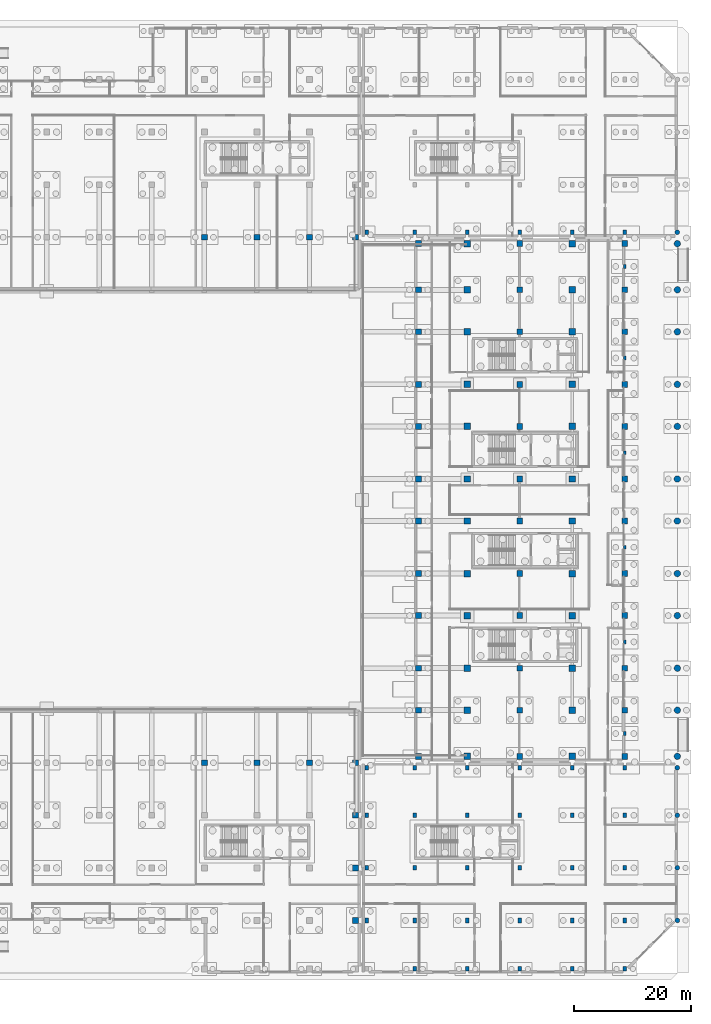
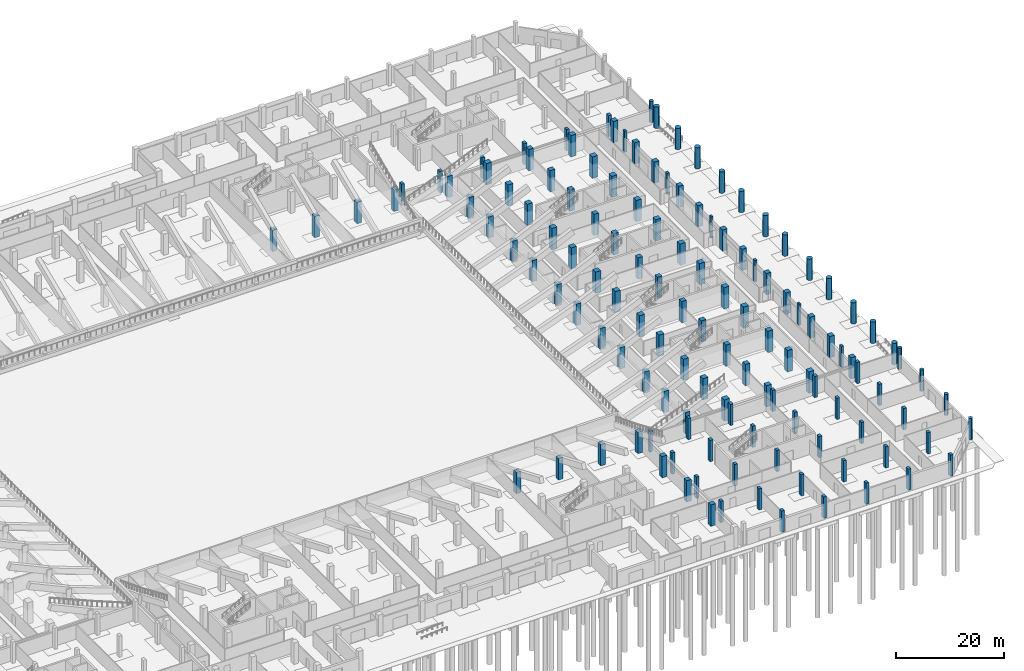
# One storey, part 9 of 53: 129 columns.
"""IFC4 building model written with IfcOpenShell, lengths in metres."""

from ifc_helpers import new_model, si_unit, direction, frame, origin, origin_2d, place, context, subcontext, project, spatial, rectangle, circle, extrude, material, material_profile, profile_set, type_object, element, save


model = new_model("IFC4")

# Units and contexts
model_context = context("Model", 3, precision=1e-05, world=origin(), true_north=direction((0.0, 1.0)))
body_context = subcontext(model_context, "Body", "Model", "MODEL_VIEW")
ifc_project = project(units=[si_unit("LENGTHUNIT", "METRE"), si_unit("AREAUNIT", "SQUARE_METRE"), si_unit("VOLUMEUNIT", "CUBIC_METRE"), si_unit("PLANEANGLEUNIT", "RADIAN"), si_unit("MASSUNIT", "GRAM", prefix="KILO"), si_unit("THERMODYNAMICTEMPERATUREUNIT", "KELVIN"), si_unit("POWERUNIT", "WATT")], contexts=[model_context])

# Site, building, storey
site_placement = place(None, origin())
site = spatial("IfcSite", under=ifc_project, at=site_placement, CompositionType="ELEMENT")
building_placement = place(site_placement, origin())
building = spatial("IfcBuilding", under=site, at=building_placement, Name="Sindhuravela Promenade Stadium", CompositionType="ELEMENT")
storey_placement = place(building_placement, origin())
storey = spatial("IfcBuildingStorey", under=building, at=storey_placement, Name="L00", CompositionType="ELEMENT", Elevation=0.0)

# Columns
ifc_material_1 = material(Name="Concrete M50", Category="concrete")
ifc_material_profile_1 = material_profile(ifc_material_1, rectangle(XDim=1.0, YDim=1.0, at=origin_2d()), Name="RC 1000x1000")
ifc_profile_set_1 = profile_set([ifc_material_profile_1], Name="Concrete M50")
column_type_1 = type_object("IfcColumnType", Name="RC-CL-1000x1000", PredefinedType="COLUMN", material=ifc_profile_set_1)
for number, where, z_axis, x_axis, name in (
    (1, (171.699951171875, 37.10009765625, 0.0), (0.0, 0.0, 1.0), (1.0, 0.0, 0.0), "Column C06 EAST L00"),
    (2, (171.699951171875, 45.0, 0.0), (0.0, 0.0, 1.0), (1.0, 0.0, 0.0), "Column C06 EAST L00"),
    (3, (171.699951171875, 52.199951171875, 0.0), (0.0, 0.0, 1.0), (1.0, 0.0, 0.0), "Column C06 EAST L00"),
    (4, (171.699951171875, 61.199951171875, 0.0), (0.0, 0.0, 1.0), (1.0, 0.0, 0.0), "Column C06 EAST L00"),
    (5, (171.699951171875, 68.39990234375, 0.0), (0.0, 0.0, 1.0), (1.0, 0.0, 0.0), "Column C06 EAST L00"),
    (6, (171.699951171875, 77.39990234375, 0.0), (0.0, 0.0, 1.0), (1.0, 0.0, 0.0), "Column C06 EAST L00"),
    (7, (171.699951171875, 84.60009765625, 0.0), (0.0, 0.0, 1.0), (1.0, 0.0, 0.0), "Column C06 EAST L00"),
    (8, (171.699951171875, 93.60009765625, 0.0), (0.0, 0.0, 1.0), (1.0, 0.0, 0.0), "Column C06 EAST L00"),
    (9, (171.699951171875, 100.800048828125, 0.0), (0.0, 0.0, 1.0), (1.0, 0.0, 0.0), "Column C06 EAST L00"),
    (10, (171.699951171875, 109.800048828125, 0.0), (0.0, 0.0, 1.0), (1.0, 0.0, 0.0), "Column C06 EAST L00"),
    (11, (171.699951171875, 117.0, 0.0), (0.0, 0.0, 1.0), (1.0, 0.0, 0.0), "Column C06 EAST L00"),
    (12, (171.699951171875, 124.89990234375, 0.0), (0.0, 0.0, 1.0), (1.0, 0.0, 0.0), "Column C06 EAST L00"),
    (13, (189.0, 37.10009765625, 0.0), (0.0, 0.0, 1.0), (1.0, 0.0, 0.0), "Column C06 EAST L00"),
    (14, (189.0, 45.0, 0.0), (0.0, 0.0, 1.0), (1.0, 0.0, 0.0), "Column C06 EAST L00"),
    (15, (189.0, 52.199951171875, 0.0), (0.0, 0.0, 1.0), (1.0, 0.0, 0.0), "Column C06 EAST L00"),
    (16, (189.0, 61.199951171875, 0.0), (0.0, 0.0, 1.0), (1.0, 0.0, 0.0), "Column C06 EAST L00"),
    (17, (189.0, 68.39990234375, 0.0), (0.0, 0.0, 1.0), (1.0, 0.0, 0.0), "Column C06 EAST L00"),
    (18, (189.0, 77.39990234375, 0.0), (0.0, 0.0, 1.0), (1.0, 0.0, 0.0), "Column C06 EAST L00"),
    (19, (189.0, 84.60009765625, 0.0), (0.0, 0.0, 1.0), (1.0, 0.0, 0.0), "Column C06 EAST L00"),
    (20, (189.0, 93.60009765625, 0.0), (0.0, 0.0, 1.0), (1.0, 0.0, 0.0), "Column C06 EAST L00"),
    (21, (189.0, 100.800048828125, 0.0), (0.0, 0.0, 1.0), (1.0, 0.0, 0.0), "Column C06 EAST L00"),
    (22, (189.0, 109.800048828125, 0.0), (0.0, 0.0, 1.0), (1.0, 0.0, 0.0), "Column C06 EAST L00"),
    (23, (189.0, 117.0, 0.0), (0.0, 0.0, 1.0), (1.0, 0.0, 0.0), "Column C06 EAST L00"),
    (24, (189.0, 124.89990234375, 0.0), (0.0, 0.0, 1.0), (1.0, 0.0, 0.0), "Column C06 EAST L00"),
    (25, (207.0, 37.10009765625, 0.0), (0.0, 0.0, 1.0), (1.0, 0.0, 0.0), "Column C06 EAST L00"),
    (26, (207.0, 45.0, 0.0), (0.0, 0.0, 1.0), (1.0, 0.0, 0.0), "Column C06 EAST L00"),
    (27, (207.0, 52.199951171875, 0.0), (0.0, 0.0, 1.0), (1.0, 0.0, 0.0), "Column C06 EAST L00"),
    (28, (207.0, 61.199951171875, 0.0), (0.0, 0.0, 1.0), (1.0, 0.0, 0.0), "Column C06 EAST L00"),
    (29, (207.0, 68.39990234375, 0.0), (0.0, 0.0, 1.0), (1.0, 0.0, 0.0), "Column C06 EAST L00"),
    (30, (207.0, 77.39990234375, 0.0), (0.0, 0.0, 1.0), (1.0, 0.0, 0.0), "Column C06 EAST L00"),
    (31, (207.0, 84.60009765625, 0.0), (0.0, 0.0, 1.0), (1.0, 0.0, 0.0), "Column C06 EAST L00"),
    (32, (207.0, 93.60009765625, 0.0), (0.0, 0.0, 1.0), (1.0, 0.0, 0.0), "Column C06 EAST L00"),
    (33, (207.0, 100.800048828125, 0.0), (0.0, 0.0, 1.0), (1.0, 0.0, 0.0), "Column C06 EAST L00"),
    (34, (207.0, 109.800048828125, 0.0), (0.0, 0.0, 1.0), (1.0, 0.0, 0.0), "Column C06 EAST L00"),
    (35, (207.0, 117.0, 0.0), (0.0, 0.0, 1.0), (1.0, 0.0, 0.0), "Column C06 EAST L00"),
    (36, (207.0, 124.89990234375, 0.0), (0.0, 0.0, 1.0), (1.0, 0.0, 0.0), "Column C06 EAST L00"),
    (37, (135.0, 126.0, 0.0), (0.0, 0.0, 1.0), (1.0, 0.0, 0.0), "Column C06 NORTH L00"),
    (38, (144.0, 126.0, 0.0), (0.0, 0.0, 1.0), (1.0, 0.0, 0.0), "Column C06 NORTH L00"),
    (39, (153.0, 126.0, 0.0), (0.0, 0.0, 1.0), (1.0, 0.0, 0.0), "Column C06 NORTH L00"),
    (40, (160.89990234375, 126.0, 0.0), (0.0, 0.0, 1.0), (1.0, 0.0, 0.0), "Column C06 NORTH L00"),
    (41, (135.0, 36.0, 0.0), (0.0, 0.0, 1.0), (1.0, 0.0, 0.0), "Column C06 SOUTH L00"),
    (42, (144.0, 36.0, 0.0), (0.0, 0.0, 1.0), (1.0, 0.0, 0.0), "Column C06 SOUTH L00"),
    (43, (153.0, 36.0, 0.0), (0.0, 0.0, 1.0), (1.0, 0.0, 0.0), "Column C06 SOUTH L00"),
    (44, (160.89990234375, 9.0, 0.0), (0.0, 0.0, 1.0), (1.0, 0.0, 0.0), "Column C06 SOUTH L00"),
    (45, (160.89990234375, 18.0, 0.0), (0.0, 0.0, 1.0), (1.0, 0.0, 0.0), "Column C06 SOUTH L00"),
    (46, (160.89990234375, 27.0, 0.0), (0.0, 0.0, 1.0), (1.0, 0.0, 0.0), "Column C06 SOUTH L00"),
    (47, (160.89990234375, 36.0, 0.0), (0.0, 0.0, 1.0), (1.0, 0.0, 0.0), "Column C06 SOUTH L00"),
):
    element("IfcColumn", number, at=place(storey_placement, frame(where, z_axis=z_axis, x_axis=x_axis)), inside=storey, type_object=column_type_1, Name=name, PredefinedType="COLUMN", context=body_context, shape_type="SweptSolid", body=[
        extrude(rectangle(XDim=1.0, YDim=1.0, at=origin_2d()), origin(), (0.0, 0.0, 1.0), 4.800048828125),
    ])
ifc_material_profile_2 = material_profile(ifc_material_1, rectangle(XDim=1.10009765625, YDim=1.10009765625, at=origin_2d()), Name="RC 1100x1100")
ifc_profile_set_2 = profile_set([ifc_material_profile_2], Name="Concrete M50")
column_type_2 = type_object("IfcColumnType", Name="RC-CL-1100x1100", PredefinedType="COLUMN", material=ifc_profile_set_2)
for number, where, z_axis, x_axis, name in (
    (48, (180.0, 37.10009765625, 0.0), (0.0, 0.0, 1.0), (1.0, 0.0, 0.0), "Column C04 EAST L00"),
    (49, (180.0, 45.0, 0.0), (0.0, 0.0, 1.0), (1.0, 0.0, 0.0), "Column C04 EAST L00"),
    (50, (180.0, 52.199951171875, 0.0), (0.0, 0.0, 1.0), (1.0, 0.0, 0.0), "Column C04 EAST L00"),
    (51, (180.0, 61.199951171875, 0.0), (0.0, 0.0, 1.0), (1.0, 0.0, 0.0), "Column C04 EAST L00"),
    (52, (180.0, 68.39990234375, 0.0), (0.0, 0.0, 1.0), (1.0, 0.0, 0.0), "Column C04 EAST L00"),
    (53, (180.0, 77.39990234375, 0.0), (0.0, 0.0, 1.0), (1.0, 0.0, 0.0), "Column C04 EAST L00"),
    (54, (180.0, 84.60009765625, 0.0), (0.0, 0.0, 1.0), (1.0, 0.0, 0.0), "Column C04 EAST L00"),
    (55, (180.0, 93.60009765625, 0.0), (0.0, 0.0, 1.0), (1.0, 0.0, 0.0), "Column C04 EAST L00"),
    (56, (180.0, 100.800048828125, 0.0), (0.0, 0.0, 1.0), (1.0, 0.0, 0.0), "Column C04 EAST L00"),
    (57, (180.0, 109.800048828125, 0.0), (0.0, 0.0, 1.0), (1.0, 0.0, 0.0), "Column C04 EAST L00"),
    (58, (180.0, 117.0, 0.0), (0.0, 0.0, 1.0), (1.0, 0.0, 0.0), "Column C04 EAST L00"),
    (59, (180.0, 124.89990234375, 0.0), (0.0, 0.0, 1.0), (1.0, 0.0, 0.0), "Column C04 EAST L00"),
    (60, (198.0, 37.10009765625, 0.0), (0.0, 0.0, 1.0), (1.0, 0.0, 0.0), "Column C04 EAST L00"),
    (61, (198.0, 45.0, 0.0), (0.0, 0.0, 1.0), (1.0, 0.0, 0.0), "Column C04 EAST L00"),
    (62, (198.0, 52.199951171875, 0.0), (0.0, 0.0, 1.0), (1.0, 0.0, 0.0), "Column C04 EAST L00"),
    (63, (198.0, 61.199951171875, 0.0), (0.0, 0.0, 1.0), (1.0, 0.0, 0.0), "Column C04 EAST L00"),
    (64, (198.0, 68.39990234375, 0.0), (0.0, 0.0, 1.0), (1.0, 0.0, 0.0), "Column C04 EAST L00"),
    (65, (198.0, 77.39990234375, 0.0), (0.0, 0.0, 1.0), (1.0, 0.0, 0.0), "Column C04 EAST L00"),
    (66, (198.0, 84.60009765625, 0.0), (0.0, 0.0, 1.0), (1.0, 0.0, 0.0), "Column C04 EAST L00"),
    (67, (198.0, 93.60009765625, 0.0), (0.0, 0.0, 1.0), (1.0, 0.0, 0.0), "Column C04 EAST L00"),
    (68, (198.0, 100.800048828125, 0.0), (0.0, 0.0, 1.0), (1.0, 0.0, 0.0), "Column C04 EAST L00"),
    (69, (198.0, 109.800048828125, 0.0), (0.0, 0.0, 1.0), (1.0, 0.0, 0.0), "Column C04 EAST L00"),
    (70, (198.0, 117.0, 0.0), (0.0, 0.0, 1.0), (1.0, 0.0, 0.0), "Column C04 EAST L00"),
    (71, (198.0, 124.89990234375, 0.0), (0.0, 0.0, 1.0), (1.0, 0.0, 0.0), "Column C04 EAST L00"),
):
    element("IfcColumn", number, at=place(storey_placement, frame(where, z_axis=z_axis, x_axis=x_axis)), inside=storey, type_object=column_type_2, Name=name, PredefinedType="COLUMN", context=body_context, shape_type="SweptSolid", body=[
        extrude(rectangle(XDim=1.10009765625, YDim=1.10009765625, at=origin_2d()), origin(), (0.0, 0.0, 1.0), 4.800048828125),
    ])
ifc_material_2 = material(Name="Concrete M40", Category="concrete")
ifc_material_profile_3 = material_profile(ifc_material_2, rectangle(XDim=0.60009765625, YDim=0.800048828125, at=origin_2d()), Name="RC 600x800")
ifc_profile_set_3 = profile_set([ifc_material_profile_3], Name="Concrete M40")
column_type_3 = type_object("IfcColumnType", Name="RC-CL-600x800", PredefinedType="COLUMN", material=ifc_profile_set_3)
for number, where, z_axis, x_axis, name in (
    (72, (162.85009765625, 9.0, 0.0), (0.0, 0.0, 1.0), (1.0, 0.0, 0.0), "Column C16 Pavilion SE L00"),
    (73, (162.85009765625, 18.0, 0.0), (0.0, 0.0, 1.0), (1.0, 0.0, 0.0), "Column C16 Pavilion SE L00"),
    (74, (162.85009765625, 27.0, 0.0), (0.0, 0.0, 1.0), (1.0, 0.0, 0.0), "Column C16 Pavilion SE L00"),
    (75, (162.85009765625, 35.14990234375, 0.0), (0.0, 0.0, 1.0), (1.0, 0.0, 0.0), "Column C16 Pavilion SE L00"),
    (76, (171.0, 0.699951171875, 0.0), (0.0, 0.0, 1.0), (1.0, 0.0, 0.0), "Column C16 Pavilion SE L00"),
    (77, (171.0, 9.0, 0.0), (0.0, 0.0, 1.0), (1.0, 0.0, 0.0), "Column C16 Pavilion SE L00"),
    (78, (171.0, 18.0, 0.0), (0.0, 0.0, 1.0), (1.0, 0.0, 0.0), "Column C16 Pavilion SE L00"),
    (79, (171.0, 27.0, 0.0), (0.0, 0.0, 1.0), (1.0, 0.0, 0.0), "Column C16 Pavilion SE L00"),
    (80, (171.0, 35.14990234375, 0.0), (0.0, 0.0, 1.0), (1.0, 0.0, 0.0), "Column C16 Pavilion SE L00"),
    (81, (180.0, 0.699951171875, 0.0), (0.0, 0.0, 1.0), (1.0, 0.0, 0.0), "Column C16 Pavilion SE L00"),
    (82, (180.0, 9.0, 0.0), (0.0, 0.0, 1.0), (1.0, 0.0, 0.0), "Column C16 Pavilion SE L00"),
    (83, (180.0, 18.0, 0.0), (0.0, 0.0, 1.0), (1.0, 0.0, 0.0), "Column C16 Pavilion SE L00"),
    (84, (180.0, 27.0, 0.0), (0.0, 0.0, 1.0), (1.0, 0.0, 0.0), "Column C16 Pavilion SE L00"),
    (85, (180.0, 35.14990234375, 0.0), (0.0, 0.0, 1.0), (1.0, 0.0, 0.0), "Column C16 Pavilion SE L00"),
    (86, (189.0, 0.699951171875, 0.0), (0.0, 0.0, 1.0), (1.0, 0.0, 0.0), "Column C16 Pavilion SE L00"),
    (87, (189.0, 9.0, 0.0), (0.0, 0.0, 1.0), (1.0, 0.0, 0.0), "Column C16 Pavilion SE L00"),
    (88, (189.0, 18.0, 0.0), (0.0, 0.0, 1.0), (1.0, 0.0, 0.0), "Column C16 Pavilion SE L00"),
    (89, (189.0, 27.0, 0.0), (0.0, 0.0, 1.0), (1.0, 0.0, 0.0), "Column C16 Pavilion SE L00"),
    (90, (189.0, 35.14990234375, 0.0), (0.0, 0.0, 1.0), (1.0, 0.0, 0.0), "Column C16 Pavilion SE L00"),
    (91, (198.0, 0.699951171875, 0.0), (0.0, 0.0, 1.0), (1.0, 0.0, 0.0), "Column C16 Pavilion SE L00"),
    (92, (198.0, 9.0, 0.0), (0.0, 0.0, 1.0), (1.0, 0.0, 0.0), "Column C16 Pavilion SE L00"),
    (93, (198.0, 18.0, 0.0), (0.0, 0.0, 1.0), (1.0, 0.0, 0.0), "Column C16 Pavilion SE L00"),
    (94, (198.0, 27.0, 0.0), (0.0, 0.0, 1.0), (1.0, 0.0, 0.0), "Column C16 Pavilion SE L00"),
    (95, (198.0, 35.14990234375, 0.0), (0.0, 0.0, 1.0), (1.0, 0.0, 0.0), "Column C16 Pavilion SE L00"),
    (96, (207.0, 0.699951171875, 0.0), (0.0, 0.0, 1.0), (1.0, 0.0, 0.0), "Column C16 Pavilion SE L00"),
    (97, (207.0, 9.0, 0.0), (0.0, 0.0, 1.0), (1.0, 0.0, 0.0), "Column C16 Pavilion SE L00"),
    (98, (207.0, 18.0, 0.0), (0.0, 0.0, 1.0), (1.0, 0.0, 0.0), "Column C16 Pavilion SE L00"),
    (99, (207.0, 27.0, 0.0), (0.0, 0.0, 1.0), (1.0, 0.0, 0.0), "Column C16 Pavilion SE L00"),
    (100, (207.0, 35.14990234375, 0.0), (0.0, 0.0, 1.0), (1.0, 0.0, 0.0), "Column C16 Pavilion SE L00"),
    (101, (162.85009765625, 126.85009765625, 0.0), (0.0, 0.0, 1.0), (1.0, 0.0, 0.0), "Column C16 Pavilion NE L00"),
    (102, (171.0, 126.85009765625, 0.0), (0.0, 0.0, 1.0), (1.0, 0.0, 0.0), "Column C16 Pavilion NE L00"),
    (103, (180.0, 126.85009765625, 0.0), (0.0, 0.0, 1.0), (1.0, 0.0, 0.0), "Column C16 Pavilion NE L00"),
    (104, (189.0, 126.85009765625, 0.0), (0.0, 0.0, 1.0), (1.0, 0.0, 0.0), "Column C16 Pavilion NE L00"),
    (105, (198.0, 126.85009765625, 0.0), (0.0, 0.0, 1.0), (1.0, 0.0, 0.0), "Column C16 Pavilion NE L00"),
    (106, (207.0, 126.85009765625, 0.0), (0.0, 0.0, 1.0), (1.0, 0.0, 0.0), "Column C16 Pavilion NE L00"),
):
    element("IfcColumn", number, at=place(storey_placement, frame(where, z_axis=z_axis, x_axis=x_axis)), inside=storey, type_object=column_type_3, Name=name, PredefinedType="COLUMN", context=body_context, shape_type="SweptSolid", body=[
        extrude(rectangle(XDim=0.60009765625, YDim=0.800048828125, at=origin_2d()), origin(), (0.0, 0.0, 1.0), 4.800048828125),
    ])
ifc_material_profile_4 = material_profile(ifc_material_1, circle(Radius=0.550048828125, at=origin_2d()), Name="RC D1100")
ifc_profile_set_4 = profile_set([ifc_material_profile_4], Name="Concrete M50")
column_type_4 = type_object("IfcColumnType", Name="RC-CL-D1100", PredefinedType="COLUMN", material=ifc_profile_set_4)
for number, where, z_axis, x_axis, name in (
    (107, (216.0, 37.10009765625, 0.0), (0.0, 0.0, 1.0), (1.0, 0.0, 0.0), "Column CD1 EAST L00"),
    (108, (216.0, 45.0, 0.0), (0.0, 0.0, 1.0), (1.0, 0.0, 0.0), "Column CD1 EAST L00"),
    (109, (216.0, 52.199951171875, 0.0), (0.0, 0.0, 1.0), (1.0, 0.0, 0.0), "Column CD1 EAST L00"),
    (110, (216.0, 61.199951171875, 0.0), (0.0, 0.0, 1.0), (1.0, 0.0, 0.0), "Column CD1 EAST L00"),
    (111, (216.0, 68.39990234375, 0.0), (0.0, 0.0, 1.0), (1.0, 0.0, 0.0), "Column CD1 EAST L00"),
    (112, (216.0, 77.39990234375, 0.0), (0.0, 0.0, 1.0), (1.0, 0.0, 0.0), "Column CD1 EAST L00"),
    (113, (216.0, 84.60009765625, 0.0), (0.0, 0.0, 1.0), (1.0, 0.0, 0.0), "Column CD1 EAST L00"),
    (114, (216.0, 93.60009765625, 0.0), (0.0, 0.0, 1.0), (1.0, 0.0, 0.0), "Column CD1 EAST L00"),
    (115, (216.0, 100.800048828125, 0.0), (0.0, 0.0, 1.0), (1.0, 0.0, 0.0), "Column CD1 EAST L00"),
    (116, (216.0, 109.800048828125, 0.0), (0.0, 0.0, 1.0), (1.0, 0.0, 0.0), "Column CD1 EAST L00"),
    (117, (216.0, 117.0, 0.0), (0.0, 0.0, 1.0), (1.0, 0.0, 0.0), "Column CD1 EAST L00"),
    (118, (216.0, 124.89990234375, 0.0), (0.0, 0.0, 1.0), (1.0, 0.0, 0.0), "Column CD1 EAST L00"),
):
    element("IfcColumn", number, at=place(storey_placement, frame(where, z_axis=z_axis, x_axis=x_axis)), inside=storey, type_object=column_type_4, Name=name, PredefinedType="COLUMN", context=body_context, shape_type="SweptSolid", body=[
        extrude(circle(Radius=0.550048828125, at=origin_2d()), origin(), (0.0, 0.0, 1.0), 4.800048828125),
    ])
ifc_material_profile_5 = material_profile(ifc_material_2, circle(Radius=0.39990234375, at=origin_2d()), Name="RC D800")
ifc_profile_set_5 = profile_set([ifc_material_profile_5], Name="Concrete M40")
column_type_5 = type_object("IfcColumnType", Name="RC-CL-D800", PredefinedType="COLUMN", material=ifc_profile_set_5)
for number, where, z_axis, x_axis, name in (
    (119, (216.0, 9.0, 0.0), (0.0, 0.0, 1.0), (1.0, 0.0, 0.0), "Column CD3 Pavilion SE L00"),
    (120, (216.0, 18.0, 0.0), (0.0, 0.0, 1.0), (1.0, 0.0, 0.0), "Column CD3 Pavilion SE L00"),
    (121, (216.0, 27.0, 0.0), (0.0, 0.0, 1.0), (1.0, 0.0, 0.0), "Column CD3 Pavilion SE L00"),
    (122, (216.0, 35.14990234375, 0.0), (0.0, 0.0, 1.0), (1.0, 0.0, 0.0), "Column CD3 Pavilion SE L00"),
    (123, (216.0, 126.85009765625, 0.0), (0.0, 0.0, 1.0), (1.0, 0.0, 0.0), "Column CD3 Pavilion NE L00"),
):
    element("IfcColumn", number, at=place(storey_placement, frame(where, z_axis=z_axis, x_axis=x_axis)), inside=storey, type_object=column_type_5, Name=name, PredefinedType="COLUMN", context=body_context, shape_type="SweptSolid", body=[
        extrude(circle(Radius=0.39990234375, at=origin_2d()), origin(), (0.0, 0.0, 1.0), 4.800048828125),
    ])
ifc_material_profile_6 = material_profile(ifc_material_2, rectangle(XDim=0.449951171875, YDim=0.64990234375, at=origin_2d()), Name="PIL 450x650")
ifc_profile_set_6 = profile_set([ifc_material_profile_6], Name="Concrete M40")
column_type_6 = type_object("IfcColumnType", Name="RC-PL-450x650", PredefinedType="PILASTER", material=ifc_profile_set_6)
for number, where, z_axis, x_axis, name in (
    (124, (207.0, 41.0, 0.0), (0.0, 0.0, 1.0), (1.0, 0.0, 0.0), "Fluted pilaster PL2 EAST L00"),
    (125, (207.0, 56.699951171875, 0.0), (0.0, 0.0, 1.0), (1.0, 0.0, 0.0), "Fluted pilaster PL2 EAST L00"),
    (126, (207.0, 72.89990234375, 0.0), (0.0, 0.0, 1.0), (1.0, 0.0, 0.0), "Fluted pilaster PL2 EAST L00"),
    (127, (207.0, 89.10009765625, 0.0), (0.0, 0.0, 1.0), (1.0, 0.0, 0.0), "Fluted pilaster PL2 EAST L00"),
    (128, (207.0, 105.300048828125, 0.0), (0.0, 0.0, 1.0), (1.0, 0.0, 0.0), "Fluted pilaster PL2 EAST L00"),
    (129, (207.0, 121.0, 0.0), (0.0, 0.0, 1.0), (1.0, 0.0, 0.0), "Fluted pilaster PL2 EAST L00"),
):
    element("IfcColumn", number, at=place(storey_placement, frame(where, z_axis=z_axis, x_axis=x_axis)), inside=storey, type_object=column_type_6, Name=name, PredefinedType="PILASTER", context=body_context, shape_type="SweptSolid", body=[
        extrude(rectangle(XDim=0.449951171875, YDim=0.64990234375, at=origin_2d()), origin(), (0.0, 0.0, 1.0), 4.800048828125),
    ])

save(model, "model.ifc")
